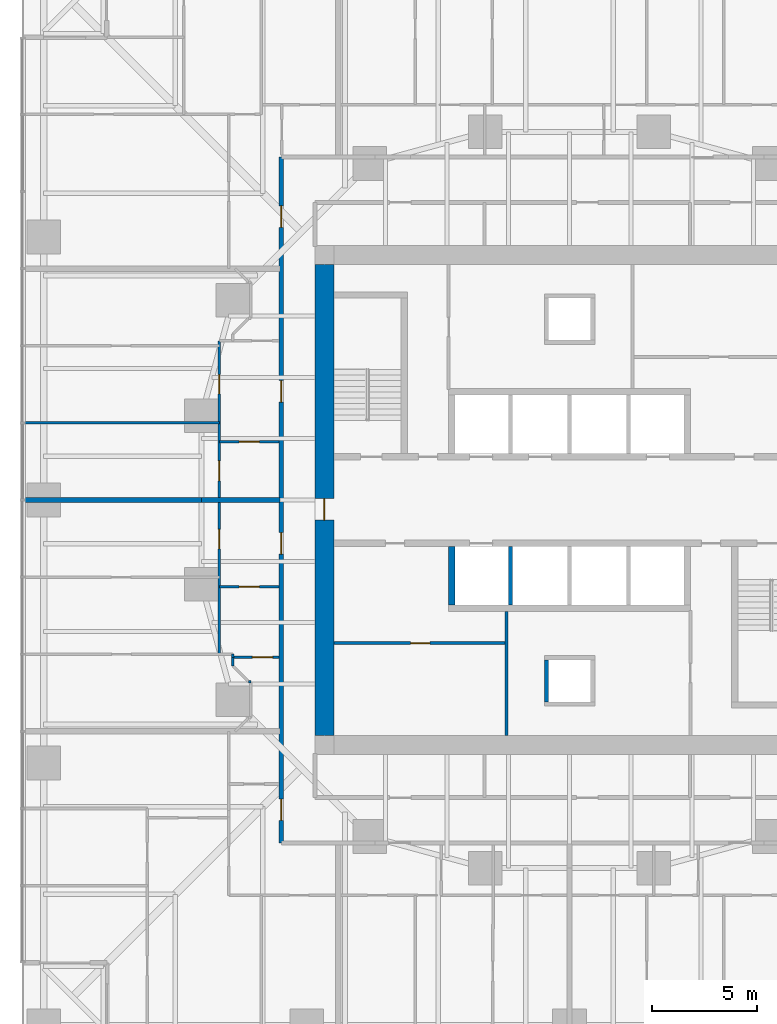
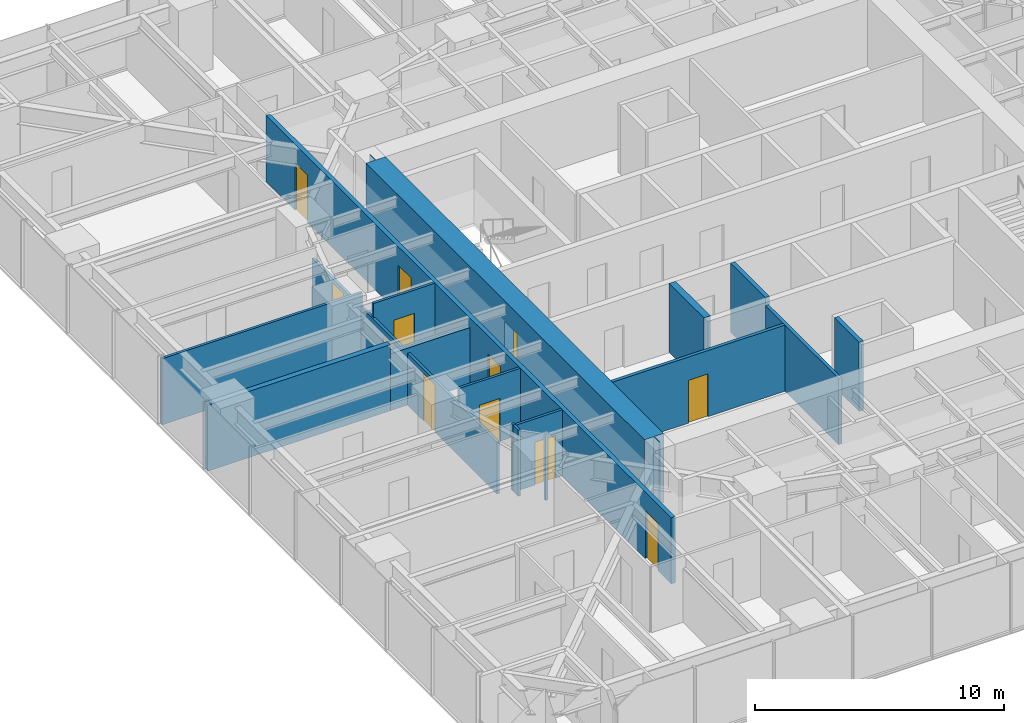
# One storey, part 10 of 18: 17 walls, 12 doors, 12 openings.
"""IFC4 building model written with IfcOpenShell, lengths in metres."""

from ifc_helpers import new_model, si_unit, direction, frame, frame_2d, origin, place, context, subcontext, project, spatial, polyline, rectangle, outline, extrude, material, layer, layer_set, type_object, element, fill, save


model = new_model("IFC4")

# Units and contexts
model_context = context("Model", 3, precision=1e-05, world=origin(), true_north=direction((0.0, 1.0)))
body_context = subcontext(model_context, "Body", "Model", "MODEL_VIEW")
ifc_project = project(units=[si_unit("LENGTHUNIT", "METRE"), si_unit("AREAUNIT", "SQUARE_METRE"), si_unit("VOLUMEUNIT", "CUBIC_METRE"), si_unit("PLANEANGLEUNIT", "RADIAN"), si_unit("MASSUNIT", "GRAM", prefix="KILO")], contexts=[model_context])

# Site, building, storey
site_placement = place(None, origin())
site = spatial("IfcSite", under=ifc_project, at=site_placement, CompositionType="ELEMENT")
building_placement = place(site_placement, origin())
building = spatial("IfcBuilding", under=site, at=building_placement, Name="Torsade Residences", CompositionType="ELEMENT")
storey_placement = place(building_placement, frame((0.0, 0.0, 28.60009765625)))
storey = spatial("IfcBuildingStorey", under=building, at=storey_placement, Name="L07", CompositionType="ELEMENT", Elevation=28.60009765625)

# Wall
ifc_material_1 = material(Name="Concrete 80 MPa", Category="concrete")
ifc_layer_1 = layer(ifc_material_1, 0.300048828125)
ifc_layer_set_1 = layer_set([ifc_layer_1], Name="Concrete 80 MPa")
wall_type_1 = type_object("IfcWallType", Name="CORE INTERNAL WALL 300", PredefinedType="SHEAR", material=ifc_layer_set_1)
wall_1_placement = place(storey_placement, frame((34.39990234375, 27.800048828125, 0.0), z_axis=(0.0, 0.0, 1.0), x_axis=(0.0, -1.0, 0.0)))
element("IfcWall", 1, at=wall_1_placement, inside=storey, type_object=wall_type_1, Name="Core wall DS4 L07", PredefinedType="SHEAR", context=body_context, shape_type="SweptSolid", body=[
    extrude(rectangle(XDim=2.800048828125, YDim=0.300048828125, at=frame_2d((1.39990234375, 0.0))), origin(), (0.0, 0.0, 1.0), 3.39990234375),
])

# Wall, opening, door
ifc_material_2 = material(Name="Concrete 80 MPa", Category="concrete")
ifc_layer_2 = layer(ifc_material_2, 0.89990234375)
ifc_layer_set_2 = layer_set([ifc_layer_2], Name="Concrete 80 MPa")
wall_type_2 = type_object("IfcWallType", Name="CORE WALL 900", PredefinedType="SHEAR", material=ifc_layer_set_2)
wall_2_placement = place(storey_placement, frame((28.35009765625, 41.199951171875, 0.0), z_axis=(0.0, 0.0, 1.0), x_axis=(0.0, -1.0, 0.0)))
wall_2 = element("IfcWall", 2, at=wall_2_placement, inside=storey, type_object=wall_type_2, Name="Core wall W L07", PredefinedType="SHEAR", context=body_context, shape_type="SweptSolid", body=[
    extrude(outline(polyline([(0.0, -0.449951171875), (22.39990234375, -0.449951171875), (22.39990234375, -0.02490234375), (22.849853515625, -0.02490234375), (22.849853515625, 0.02490234375), (22.39990234375, 0.02490234375), (22.39990234375, 0.449951171875), (0.0, 0.449951171875), (0.0, 0.02490234375), (-0.449951171875, 0.02490234375), (-0.449951171875, -0.02490234375), (0.0, -0.02490234375), (0.0, -0.449951171875)])), origin(), (0.0, 0.0, 1.0), 3.39990234375),
])
opening_1_placement = place(wall_2_placement, frame((11.139892578125, 0.0, 0.0)))
opening_1 = element("IfcOpeningElement", 3, at=opening_1_placement, cuts=wall_2, Name="Opening D04", PredefinedType="OPENING", context=body_context, shape_type="SweptSolid", body=[
    extrude(rectangle(XDim=1.02001953125, YDim=2.39990234375, at=frame_2d((0.510009765625, 1.199951171875))), frame((0.0, 0.4599609375, 0.0), z_axis=(0.0, -1.0, 0.0), x_axis=(1.0, 0.0, 0.0)), (0.0, 0.0, 1.0), 0.919921875),
])
ifc_material_3 = material(Name="Steel-framed fire door", Category="steel")
door_type_1 = type_object("IfcDoorType", Name="LOBBY SMOKE DOOR 1020x2400", OperationType="NOTDEFINED", PredefinedType="DOOR", material=ifc_material_3)
door_1_placement = place(opening_1_placement, origin())
door_1 = element("IfcDoor", 4, at=door_1_placement, inside=storey, type_object=door_type_1, Name="Lift lobby door W L07", OperationType="SINGLE_SWING_RIGHT", OverallHeight=2.39990234375, OverallWidth=1.02001953125, PredefinedType="DOOR", context=body_context, shape_type="SweptSolid", body=[
    extrude(rectangle(XDim=1.02001953125, YDim=2.39990234375, at=frame_2d((0.510009765625, 1.199951171875))), frame((0.0, 0.02490234375, 0.0), z_axis=(0.0, -1.0, 0.0), x_axis=(1.0, 0.0, 0.0)), (0.0, 0.0, 1.0), 0.050048828125),
])
fill(opening_1, door_1)

# Wall, openings, doors
ifc_material_4 = material(Name="Plasterboard on steel stud", Category="steel")
ifc_layer_3 = layer(ifc_material_4, 0.199951171875)
ifc_layer_set_3 = layer_set([ifc_layer_3], Name="Plasterboard on steel stud")
wall_type_3 = type_object("IfcWallType", Name="CORRIDOR WALL 200", PredefinedType="PARTITIONING", material=ifc_layer_set_3)
wall_3_placement = place(storey_placement, frame((26.300048828125, 46.300048828125, 0.0), z_axis=(0.0, 0.0, 1.0), x_axis=(0.0, -1.0, 0.0)))
wall_3 = element("IfcWall", 5, at=wall_3_placement, inside=storey, type_object=wall_type_3, Name="Corridor wall L07", PredefinedType="PARTITIONING", context=body_context, shape_type="SweptSolid", body=[
    extrude(rectangle(XDim=32.60009765625, YDim=0.199951171875, at=frame_2d((16.300048828125, 0.0))), origin(), (0.0, 0.0, 1.0), 3.25),
])
opening_2_placement = place(wall_3_placement, frame((2.31494140625, 0.0, 0.0)))
opening_2 = element("IfcOpeningElement", 6, at=opening_2_placement, cuts=wall_3, Name="Opening D01", PredefinedType="OPENING", context=body_context, shape_type="SweptSolid", body=[
    extrude(rectangle(XDim=1.02001953125, YDim=2.340087890625, at=frame_2d((0.510009765625, 1.169921875))), frame((0.0, 0.10986328125, 0.0), z_axis=(0.0, -1.0, 0.0), x_axis=(1.0, 0.0, 0.0)), (0.0, 0.0, 1.0), 0.219970703125),
])
opening_3_placement = place(wall_3_placement, frame((10.623779296875, 0.0, 0.0)))
opening_3 = element("IfcOpeningElement", 7, at=opening_3_placement, cuts=wall_3, Name="Opening D01", PredefinedType="OPENING", context=body_context, shape_type="SweptSolid", body=[
    extrude(rectangle(XDim=1.02001953125, YDim=2.340087890625, at=frame_2d((0.510009765625, 1.169921875))), frame((0.0, 0.10986328125, 0.0), z_axis=(0.0, -1.0, 0.0), x_axis=(1.0, 0.0, 0.0)), (0.0, 0.0, 1.0), 0.219970703125),
])
opening_4_placement = place(wall_3_placement, frame((17.84814453125, 0.0, 0.0)))
opening_4 = element("IfcOpeningElement", 8, at=opening_4_placement, cuts=wall_3, Name="Opening D01", PredefinedType="OPENING", context=body_context, shape_type="SweptSolid", body=[
    extrude(rectangle(XDim=1.02001953125, YDim=2.340087890625, at=frame_2d((0.510009765625, 1.169921875))), frame((0.0, 0.10986328125, 0.0), z_axis=(0.0, -1.0, 0.0), x_axis=(1.0, 0.0, 0.0)), (0.0, 0.0, 1.0), 0.219970703125),
])
opening_5_placement = place(wall_3_placement, frame((30.515625, 0.0, 0.0)))
opening_5 = element("IfcOpeningElement", 9, at=opening_5_placement, cuts=wall_3, Name="Opening D01", PredefinedType="OPENING", context=body_context, shape_type="SweptSolid", body=[
    extrude(rectangle(XDim=1.02001953125, YDim=2.340087890625, at=frame_2d((0.510009765625, 1.169921875))), frame((0.0, 0.10986328125, 0.0), z_axis=(0.0, -1.0, 0.0), x_axis=(1.0, 0.0, 0.0)), (0.0, 0.0, 1.0), 0.219970703125),
])
ifc_material_5 = material(Name="Solid-core timber fire door", Category="wood")
door_type_2 = type_object("IfcDoorType", Name="APARTMENT ENTRY DOOR 1020x2340", OperationType="NOTDEFINED", PredefinedType="DOOR", material=ifc_material_5)
door_2_placement = place(opening_2_placement, origin())
door_2 = element("IfcDoor", 10, at=door_2_placement, inside=storey, type_object=door_type_2, Name="Door Residential corridor to Kitchen and dining", OperationType="SINGLE_SWING_LEFT", OverallHeight=2.340087890625, OverallWidth=1.02001953125, PredefinedType="DOOR", context=body_context, shape_type="SweptSolid", body=[
    extrude(rectangle(XDim=1.02001953125, YDim=2.340087890625, at=frame_2d((0.510009765625, 1.169921875))), frame((0.0, 0.02490234375, 0.0), z_axis=(0.0, -1.0, 0.0), x_axis=(1.0, 0.0, 0.0)), (0.0, 0.0, 1.0), 0.050048828125),
])
fill(opening_2, door_2)
door_3_placement = place(opening_3_placement, origin())
door_3 = element("IfcDoor", 11, at=door_3_placement, inside=storey, type_object=door_type_2, Name="Door Residential corridor to Kitchen and dining", OperationType="SINGLE_SWING_LEFT", OverallHeight=2.340087890625, OverallWidth=1.02001953125, PredefinedType="DOOR", context=body_context, shape_type="SweptSolid", body=[
    extrude(rectangle(XDim=1.02001953125, YDim=2.340087890625, at=frame_2d((0.510009765625, 1.169921875))), frame((0.0, 0.02490234375, 0.0), z_axis=(0.0, -1.0, 0.0), x_axis=(1.0, 0.0, 0.0)), (0.0, 0.0, 1.0), 0.050048828125),
])
fill(opening_3, door_3)
door_4_placement = place(opening_4_placement, origin())
door_4 = element("IfcDoor", 12, at=door_4_placement, inside=storey, type_object=door_type_2, Name="Door Residential corridor to Kitchen and dining", OperationType="SINGLE_SWING_RIGHT", OverallHeight=2.340087890625, OverallWidth=1.02001953125, PredefinedType="DOOR", context=body_context, shape_type="SweptSolid", body=[
    extrude(rectangle(XDim=1.02001953125, YDim=2.340087890625, at=frame_2d((0.510009765625, 1.169921875))), frame((0.0, 0.02490234375, 0.0), z_axis=(0.0, -1.0, 0.0), x_axis=(1.0, 0.0, 0.0)), (0.0, 0.0, 1.0), 0.050048828125),
])
fill(opening_4, door_4)
door_5_placement = place(opening_5_placement, origin())
door_5 = element("IfcDoor", 13, at=door_5_placement, inside=storey, type_object=door_type_2, Name="Door Residential corridor to Kitchen and dining", OperationType="SINGLE_SWING_RIGHT", OverallHeight=2.340087890625, OverallWidth=1.02001953125, PredefinedType="DOOR", context=body_context, shape_type="SweptSolid", body=[
    extrude(rectangle(XDim=1.02001953125, YDim=2.340087890625, at=frame_2d((0.510009765625, 1.169921875))), frame((0.0, 0.02490234375, 0.0), z_axis=(0.0, -1.0, 0.0), x_axis=(1.0, 0.0, 0.0)), (0.0, 0.0, 1.0), 0.050048828125),
])
fill(opening_5, door_5)

# Wall
ifc_material_6 = material(Name="Reinforced blockwork", Category="masonry")
ifc_layer_4 = layer(ifc_material_6, 0.199951171875)
ifc_layer_set_4 = layer_set([ifc_layer_4], Name="Reinforced blockwork")
wall_type_4 = type_object("IfcWallType", Name="LIFT SHAFT DIVIDING WALL 200", PredefinedType="SOLIDWALL", material=ifc_layer_set_4)
wall_4_placement = place(storey_placement, frame((37.199951171875, 27.800048828125, 0.0), z_axis=(0.0, 0.0, 1.0), x_axis=(0.0, -1.0, 0.0)))
element("IfcWall", 14, at=wall_4_placement, inside=storey, type_object=wall_type_4, Name="Core wall DS3 L07", PredefinedType="SOLIDWALL", context=body_context, shape_type="SweptSolid", body=[
    extrude(rectangle(XDim=2.800048828125, YDim=0.199951171875, at=frame_2d((1.39990234375, 0.0))), origin(), (0.0, 0.0, 1.0), 3.39990234375),
])

# Wall, opening, door
ifc_material_7 = material(Name="Plasterboard on steel stud", Category="steel")
ifc_layer_5 = layer(ifc_material_7, 0.1201171875)
ifc_layer_set_5 = layer_set([ifc_layer_5], Name="Plasterboard on steel stud")
wall_type_5 = type_object("IfcWallType", Name="PARTITION 120", PredefinedType="PARTITIONING", material=ifc_layer_set_5)
wall_5_placement = place(storey_placement, frame((26.199951171875, 25.883544921875, 0.0), z_axis=(0.0, 0.0, 1.0), x_axis=(-1.0, 0.0, 0.0)))
wall_5 = element("IfcWall", 15, at=wall_5_placement, inside=storey, type_object=wall_type_5, Name="Partition L07", PredefinedType="PARTITIONING", context=body_context, shape_type="SweptSolid", body=[
    extrude(rectangle(XDim=2.849853515625, YDim=0.1201171875, at=frame_2d((1.4248046875, 0.0))), origin(), (0.0, 0.0, 1.0), 3.25),
])
opening_6_placement = place(wall_5_placement, frame((0.945068359375, 0.0, 0.0)))
opening_6 = element("IfcOpeningElement", 16, at=opening_6_placement, cuts=wall_5, Name="Opening D05", PredefinedType="OPENING", context=body_context, shape_type="SweptSolid", body=[
    extrude(rectangle(XDim=0.9599609375, YDim=2.10009765625, at=frame_2d((0.47998046875, 1.050048828125))), frame((0.0, 0.070068359375, 0.0), z_axis=(0.0, -1.0, 0.0), x_axis=(1.0, 0.0, 0.0)), (0.0, 0.0, 1.0), 0.14013671875),
])
ifc_material_8 = material(Name="Hollow-core timber door in a steel cavity frame", Category="steel")
door_type_3 = type_object("IfcDoorType", Name="BATHROOM CAVITY SLIDING DOOR 960", OperationType="SLIDING_TO_LEFT", PredefinedType="DOOR", material=ifc_material_8)
door_6_placement = place(opening_6_placement, origin())
door_6 = element("IfcDoor", 17, at=door_6_placement, inside=storey, type_object=door_type_3, Name="Door Kitchen and dining to Ensuite", OperationType="SLIDING_TO_LEFT", OverallHeight=2.10009765625, OverallWidth=0.9599609375, PredefinedType="DOOR", context=body_context, shape_type="SweptSolid", body=[
    extrude(rectangle(XDim=0.9599609375, YDim=2.10009765625, at=frame_2d((0.47998046875, 1.050048828125))), frame((0.0, 0.02490234375, 0.0), z_axis=(0.0, -1.0, 0.0), x_axis=(1.0, 0.0, 0.0)), (0.0, 0.0, 1.0), 0.050048828125),
])
fill(opening_6, door_6)

# Wall, openings, doors
wall_6_placement = place(storey_placement, frame((23.35009765625, 22.666748046875, 0.0), z_axis=(0.0, 0.0, 1.0), x_axis=(0.0, 1.0, 0.0)))
wall_6 = element("IfcWall", 18, at=wall_6_placement, inside=storey, type_object=wall_type_5, Name="Partition L07", PredefinedType="PARTITIONING", context=body_context, shape_type="SweptSolid", body=[
    extrude(rectangle(XDim=14.89794921875, YDim=0.1201171875, at=frame_2d((7.448974609375, 0.0))), origin(), (0.0, 0.0, 1.0), 2.5498046875),
])
opening_7_placement = place(wall_6_placement, frame((12.373291015625, 0.0, 0.0)))
opening_7 = element("IfcOpeningElement", 19, at=opening_7_placement, cuts=wall_6, Name="Opening D02", PredefinedType="OPENING", context=body_context, shape_type="SweptSolid", body=[
    extrude(rectangle(XDim=0.919921875, YDim=2.340087890625, at=frame_2d((0.4599609375, 1.169921875))), frame((0.0, 0.070068359375, 0.0), z_axis=(0.0, -1.0, 0.0), x_axis=(1.0, 0.0, 0.0)), (0.0, 0.0, 1.0), 0.14013671875),
])
opening_8_placement = place(wall_6_placement, frame((5.014892578125, 0.0, 0.0)))
opening_8 = element("IfcOpeningElement", 20, at=opening_8_placement, cuts=wall_6, Name="Opening D02", PredefinedType="OPENING", context=body_context, shape_type="SweptSolid", body=[
    extrude(rectangle(XDim=0.919921875, YDim=2.340087890625, at=frame_2d((0.4599609375, 1.169921875))), frame((0.0, 0.070068359375, 0.0), z_axis=(0.0, -1.0, 0.0), x_axis=(1.0, 0.0, 0.0)), (0.0, 0.0, 1.0), 0.14013671875),
])
opening_9_placement = place(wall_6_placement, frame((8.237060546875, 0.0, 0.0)))
opening_9 = element("IfcOpeningElement", 21, at=opening_9_placement, cuts=wall_6, Name="Opening D05", PredefinedType="OPENING", context=body_context, shape_type="SweptSolid", body=[
    extrude(rectangle(XDim=0.9599609375, YDim=2.10009765625, at=frame_2d((0.47998046875, 1.050048828125))), frame((0.0, 0.070068359375, 0.0), z_axis=(0.0, -1.0, 0.0), x_axis=(1.0, 0.0, 0.0)), (0.0, 0.0, 1.0), 0.14013671875),
])
door_7_placement = place(opening_9_placement, origin())
door_7 = element("IfcDoor", 22, at=door_7_placement, inside=storey, type_object=door_type_3, Name="Door Ensuite to Bedroom 1", OperationType="SLIDING_TO_LEFT", OverallHeight=2.10009765625, OverallWidth=0.9599609375, PredefinedType="DOOR", context=body_context, shape_type="SweptSolid", body=[
    extrude(rectangle(XDim=0.9599609375, YDim=2.10009765625, at=frame_2d((0.47998046875, 1.050048828125))), frame((0.0, 0.02490234375, 0.0), z_axis=(0.0, -1.0, 0.0), x_axis=(1.0, 0.0, 0.0)), (0.0, 0.0, 1.0), 0.050048828125),
])
fill(opening_9, door_7)
ifc_material_9 = material(Name="Hollow-core timber door", Category="wood")
door_type_4 = type_object("IfcDoorType", Name="INTERNAL DOOR 920x2340", OperationType="NOTDEFINED", PredefinedType="DOOR", material=ifc_material_9)
door_8_placement = place(opening_7_placement, origin())
door_8 = element("IfcDoor", 23, at=door_8_placement, inside=storey, type_object=door_type_4, Name="Door Kitchen and dining to Bedroom 2", OperationType="SINGLE_SWING_LEFT", OverallHeight=2.340087890625, OverallWidth=0.919921875, PredefinedType="DOOR", context=body_context, shape_type="SweptSolid", body=[
    extrude(rectangle(XDim=0.919921875, YDim=2.340087890625, at=frame_2d((0.4599609375, 1.169921875))), frame((0.0, 0.02490234375, 0.0), z_axis=(0.0, -1.0, 0.0), x_axis=(1.0, 0.0, 0.0)), (0.0, 0.0, 1.0), 0.050048828125),
])
fill(opening_7, door_8)
door_9_placement = place(opening_8_placement, origin())
door_9 = element("IfcDoor", 24, at=door_9_placement, inside=storey, type_object=door_type_4, Name="Door Kitchen and dining to Living room", OperationType="SINGLE_SWING_LEFT", OverallHeight=2.340087890625, OverallWidth=0.919921875, PredefinedType="DOOR", context=body_context, shape_type="SweptSolid", body=[
    extrude(rectangle(XDim=0.919921875, YDim=2.340087890625, at=frame_2d((0.4599609375, 1.169921875))), frame((0.0, 0.02490234375, 0.0), z_axis=(0.0, -1.0, 0.0), x_axis=(1.0, 0.0, 0.0)), (0.0, 0.0, 1.0), 0.050048828125),
])
fill(opening_8, door_9)

# Wall, opening, door
wall_7_placement = place(storey_placement, frame((24.0, 22.515380859375, 0.0), z_axis=(0.0, 0.0, 1.0), x_axis=(1.0, 0.0, 0.0)))
wall_7 = element("IfcWall", 25, at=wall_7_placement, inside=storey, type_object=wall_type_5, Name="Partition L07", PredefinedType="PARTITIONING", context=body_context, shape_type="SweptSolid", body=[
    extrude(rectangle(XDim=2.199951171875, YDim=0.1201171875, at=frame_2d((1.10009765625, 0.0))), origin(), (0.0, 0.0, 1.0), 3.25),
])
opening_10_placement = place(wall_7_placement, frame((0.919921875, 0.0, 0.0)))
opening_10 = element("IfcOpeningElement", 26, at=opening_10_placement, cuts=wall_7, Name="Opening D05", PredefinedType="OPENING", context=body_context, shape_type="SweptSolid", body=[
    extrude(rectangle(XDim=0.9599609375, YDim=2.10009765625, at=frame_2d((0.47998046875, 1.050048828125))), frame((0.0, 0.070068359375, 0.0), z_axis=(0.0, -1.0, 0.0), x_axis=(1.0, 0.0, 0.0)), (0.0, 0.0, 1.0), 0.14013671875),
])
door_10_placement = place(opening_10_placement, origin())
door_10 = element("IfcDoor", 27, at=door_10_placement, inside=storey, type_object=door_type_3, Name="Door Ensuite to Bathroom", OperationType="SLIDING_TO_LEFT", OverallHeight=2.10009765625, OverallWidth=0.9599609375, PredefinedType="DOOR", context=body_context, shape_type="SweptSolid", body=[
    extrude(rectangle(XDim=0.9599609375, YDim=2.10009765625, at=frame_2d((0.47998046875, 1.050048828125))), frame((0.0, 0.02490234375, 0.0), z_axis=(0.0, -1.0, 0.0), x_axis=(1.0, 0.0, 0.0)), (0.0, 0.0, 1.0), 0.050048828125),
])
fill(opening_10, door_10)

# Wall
wall_8_placement = place(storey_placement, frame((24.0, 22.10009765625, 0.0), z_axis=(0.0, 0.0, 1.0), x_axis=(0.0, 1.0, 0.0)))
element("IfcWall", 28, at=wall_8_placement, inside=storey, type_object=wall_type_5, Name="Partition L07", PredefinedType="PARTITIONING", context=body_context, shape_type="SweptSolid", body=[
    extrude(rectangle(XDim=0.415283203125, YDim=0.1201171875, at=frame_2d((0.20751953125, 0.0))), origin(), (0.0, 0.0, 1.0), 3.25),
])

# Wall, opening, door
wall_9_placement = place(storey_placement, frame((26.199951171875, 32.767578125, 0.0), z_axis=(0.0, 0.0, 1.0), x_axis=(-1.0, 0.0, 0.0)))
wall_9 = element("IfcWall", 29, at=wall_9_placement, inside=storey, type_object=wall_type_5, Name="Partition L07", PredefinedType="PARTITIONING", context=body_context, shape_type="SweptSolid", body=[
    extrude(rectangle(XDim=2.849853515625, YDim=0.1201171875, at=frame_2d((1.4248046875, 0.0))), origin(), (0.0, 0.0, 1.0), 3.25),
])
opening_11_placement = place(wall_9_placement, frame((0.945068359375, 0.0, 0.0)))
opening_11 = element("IfcOpeningElement", 30, at=opening_11_placement, cuts=wall_9, Name="Opening D05", PredefinedType="OPENING", context=body_context, shape_type="SweptSolid", body=[
    extrude(rectangle(XDim=0.9599609375, YDim=2.10009765625, at=frame_2d((0.47998046875, 1.050048828125))), frame((0.0, 0.070068359375, 0.0), z_axis=(0.0, -1.0, 0.0), x_axis=(1.0, 0.0, 0.0)), (0.0, 0.0, 1.0), 0.14013671875),
])
door_11_placement = place(opening_11_placement, origin())
door_11 = element("IfcDoor", 31, at=door_11_placement, inside=storey, type_object=door_type_3, Name="Door Kitchen and dining to Ensuite", OperationType="SLIDING_TO_LEFT", OverallHeight=2.10009765625, OverallWidth=0.9599609375, PredefinedType="DOOR", context=body_context, shape_type="SweptSolid", body=[
    extrude(rectangle(XDim=0.9599609375, YDim=2.10009765625, at=frame_2d((0.47998046875, 1.050048828125))), frame((0.0, 0.02490234375, 0.0), z_axis=(0.0, -1.0, 0.0), x_axis=(1.0, 0.0, 0.0)), (0.0, 0.0, 1.0), 0.050048828125),
])
fill(opening_11, door_11)

# Walls
wall_10_placement = place(storey_placement, frame((14.0400390625, 33.666748046875, 0.0), z_axis=(0.0, 0.0, 1.0), x_axis=(1.0, 0.0, 0.0)))
element("IfcWall", 32, at=wall_10_placement, inside=storey, type_object=wall_type_5, Name="Partition L07", PredefinedType="PARTITIONING", context=body_context, shape_type="SweptSolid", body=[
    extrude(rectangle(XDim=9.31005859375, YDim=0.1201171875, at=frame_2d((4.655029296875, 0.0))), origin(), (0.0, 0.0, 1.0), 3.25),
])
wall_11_placement = place(storey_placement, frame((24.85009765625, 21.35009765625, 0.0), z_axis=(0.0, 0.0, 1.0), x_axis=(-1.0, 0.0, 0.0)))
element("IfcWall", 33, at=wall_11_placement, inside=storey, type_object=wall_type_5, Name="Partition L07", PredefinedType="PARTITIONING", context=body_context, shape_type="SweptSolid", body=[
    extrude(rectangle(XDim=0.10009765625, YDim=0.1201171875, at=frame_2d((0.050048828125, 0.0))), origin(), (0.0, 0.0, 1.0), 3.25),
])
wall_12_placement = place(storey_placement, frame((24.0, 22.666748046875, 0.0), z_axis=(0.0, 0.0, 1.0), x_axis=(0.0, -1.0, 0.0)))
element("IfcWall", 34, at=wall_12_placement, inside=storey, type_object=wall_type_5, Name="Partition L07", PredefinedType="PARTITIONING", context=body_context, shape_type="SweptSolid", body=[
    extrude(rectangle(XDim=0.1513671875, YDim=0.1201171875, at=frame_2d((0.07568359375, 0.0))), origin(), (0.0, 0.0, 1.0), 3.25),
])
ifc_material_10 = material(Name="Masonry-lined stud party wall", Category="masonry")
ifc_layer_6 = layer(ifc_material_10, 0.25)
ifc_layer_set_6 = layer_set([ifc_layer_6], Name="Masonry-lined stud party wall")
wall_type_6 = type_object("IfcWallType", Name="PARTY WALL 250", PredefinedType="PARTITIONING", material=ifc_layer_set_6)
wall_13_placement = place(storey_placement, frame((14.0, 30.0, 0.0), z_axis=(0.0, 0.0, 1.0), x_axis=(1.0, 0.0, 0.0)))
element("IfcWall", 35, at=wall_13_placement, inside=storey, type_object=wall_type_6, Name="Party wall L07", PredefinedType="PARTITIONING", context=body_context, shape_type="SweptSolid", body=[
    extrude(rectangle(XDim=8.5, YDim=0.25, at=frame_2d((4.25, 0.0))), origin(), (0.0, 0.0, 1.0), 3.25),
])
wall_14_placement = place(storey_placement, frame((22.5, 30.0, 0.0), z_axis=(0.0, 0.0, 1.0), x_axis=(1.0, 0.0, 0.0)))
element("IfcWall", 36, at=wall_14_placement, inside=storey, type_object=wall_type_6, Name="Party wall L07", PredefinedType="PARTITIONING", context=body_context, shape_type="SweptSolid", body=[
    extrude(rectangle(XDim=3.739990234375, YDim=0.25, at=frame_2d((1.8701171875, 0.0))), origin(), (0.0, 0.0, 1.0), 2.7958984375),
])
ifc_material_11 = material(Name="Reinforced blockwork", Category="masonry")
ifc_layer_7 = layer(ifc_material_11, 0.199951171875)
ifc_layer_set_7 = layer_set([ifc_layer_7], Name="Reinforced blockwork")
wall_type_7 = type_object("IfcWallType", Name="RISER SHAFT WALL 200", PredefinedType="SOLIDWALL", material=ifc_layer_set_7)
wall_15_placement = place(storey_placement, frame((38.89990234375, 22.39990234375, 0.0), z_axis=(0.0, 0.0, 1.0), x_axis=(0.0, -1.0, 0.0)))
element("IfcWall", 37, at=wall_15_placement, inside=storey, type_object=wall_type_7, Name="Core wall RS2a L07", PredefinedType="SOLIDWALL", context=body_context, shape_type="SweptSolid", body=[
    extrude(rectangle(XDim=2.0, YDim=0.199951171875, at=frame_2d((1.0, 0.0))), origin(), (0.0, 0.0, 1.0), 3.39990234375),
])
ifc_material_12 = material(Name="Reinforced blockwork", Category="masonry")
ifc_layer_8 = layer(ifc_material_12, 0.14990234375)
ifc_layer_set_8 = layer_set([ifc_layer_8], Name="Reinforced blockwork")
wall_type_8 = type_object("IfcWallType", Name="SERVICE ROOM WALL 150", PredefinedType="SOLIDWALL", material=ifc_layer_set_8)
wall_16_placement = place(storey_placement, frame((37.0, 18.800048828125, 0.0), z_axis=(0.0, 0.0, 1.0), x_axis=(0.0, 1.0, 0.0)))
element("IfcWall", 38, at=wall_16_placement, inside=storey, type_object=wall_type_8, Name="Service room wall L07", PredefinedType="SOLIDWALL", context=body_context, shape_type="SweptSolid", body=[
    extrude(rectangle(XDim=5.89990234375, YDim=0.14990234375, at=frame_2d((2.949951171875, 0.0))), origin(), (0.0, 0.0, 1.0), 3.25),
])

# Wall, opening, door
wall_17_placement = place(storey_placement, frame((37.0, 23.199951171875, 0.0), z_axis=(0.0, 0.0, 1.0), x_axis=(-1.0, 0.0, 0.0)))
wall_17 = element("IfcWall", 39, at=wall_17_placement, inside=storey, type_object=wall_type_8, Name="Service room wall L07", PredefinedType="SOLIDWALL", context=body_context, shape_type="SweptSolid", body=[
    extrude(rectangle(XDim=8.199951171875, YDim=0.14990234375, at=frame_2d((4.10009765625, 0.0))), origin(), (0.0, 0.0, 1.0), 3.25),
])
opening_12_placement = place(wall_17_placement, frame((3.639892578125, 0.0, 0.0)))
opening_12 = element("IfcOpeningElement", 40, at=opening_12_placement, cuts=wall_17, Name="Opening D06", PredefinedType="OPENING", context=body_context, shape_type="SweptSolid", body=[
    extrude(rectangle(XDim=0.919921875, YDim=2.10009765625, at=frame_2d((0.4599609375, 1.050048828125))), frame((0.0, 0.0849609375, 0.0), z_axis=(0.0, -1.0, 0.0), x_axis=(1.0, 0.0, 0.0)), (0.0, 0.0, 1.0), 0.169921875),
])
ifc_material_13 = material(Name="Steel-framed fire door", Category="steel")
door_type_5 = type_object("IfcDoorType", Name="FIRE DOOR 920", OperationType="NOTDEFINED", PredefinedType="DOOR", material=ifc_material_13)
door_12_placement = place(opening_12_placement, origin())
door_12 = element("IfcDoor", 41, at=door_12_placement, inside=storey, type_object=door_type_5, Name="Door Cleaner store to Hose reel and hydrant store", OperationType="SINGLE_SWING_LEFT", OverallHeight=2.10009765625, OverallWidth=0.919921875, PredefinedType="DOOR", context=body_context, shape_type="SweptSolid", body=[
    extrude(rectangle(XDim=0.919921875, YDim=2.10009765625, at=frame_2d((0.4599609375, 1.050048828125))), frame((0.0, 0.02490234375, 0.0), z_axis=(0.0, -1.0, 0.0), x_axis=(1.0, 0.0, 0.0)), (0.0, 0.0, 1.0), 0.050048828125),
])
fill(opening_12, door_12)

save(model, "model.ifc")
